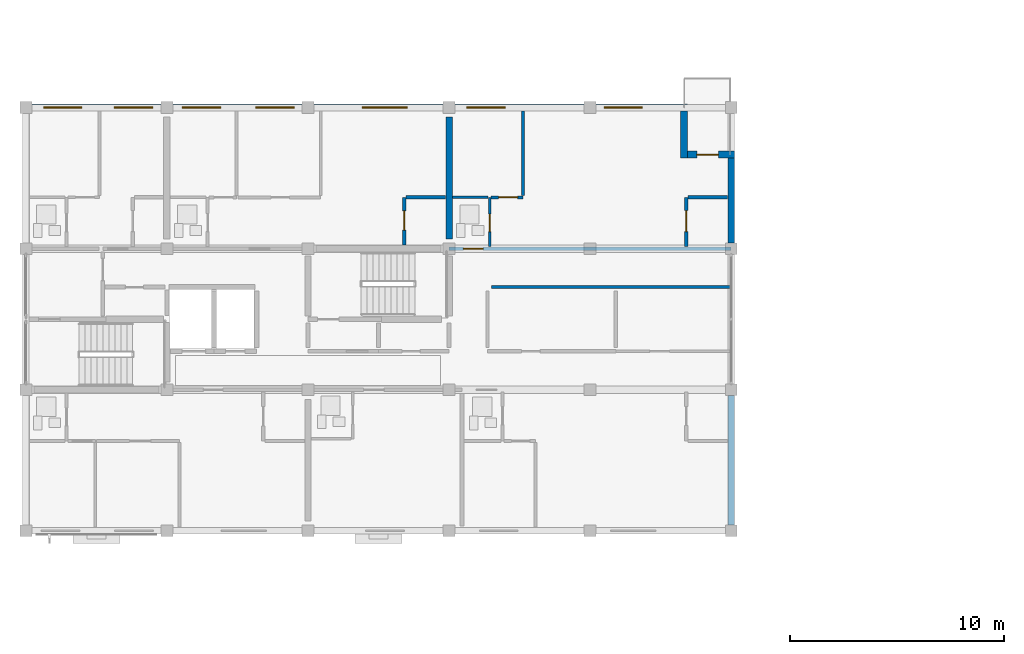
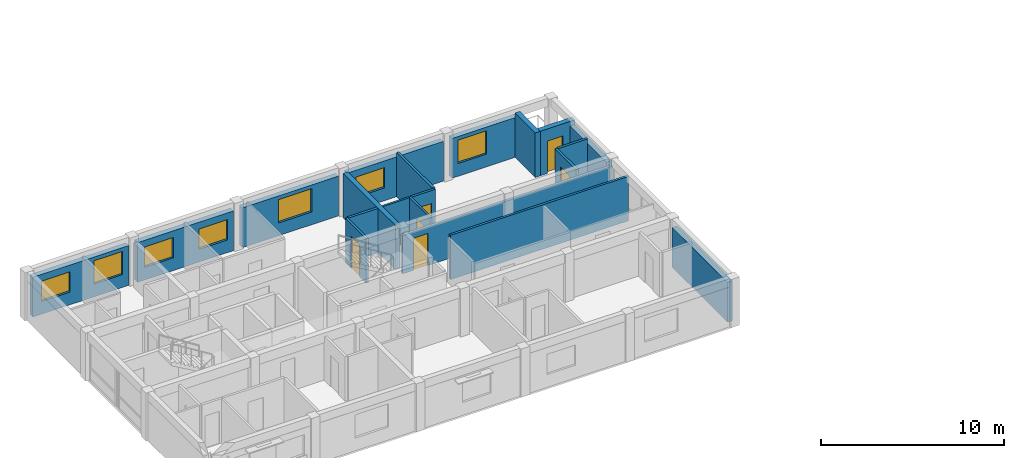
# One storey, part 36 of 53: 20 walls, 7 windows, 6 doors, 13 openings.
"""IFC4 building model written with IfcOpenShell, lengths in metres."""

from ifc_helpers import new_model, si_unit, direction, frame, frame_2d, origin, place, context, subcontext, project, spatial, rectangle, extrude, material, layer, layer_set, type_object, element, fill, save


model = new_model("IFC4")

# Units and contexts
model_context = context("Model", 3, precision=1e-05, world=origin(), true_north=direction((0.0, 1.0)))
body_context = subcontext(model_context, "Body", "Model", "MODEL_VIEW")
ifc_project = project(units=[si_unit("LENGTHUNIT", "METRE"), si_unit("AREAUNIT", "SQUARE_METRE"), si_unit("VOLUMEUNIT", "CUBIC_METRE"), si_unit("PLANEANGLEUNIT", "RADIAN"), si_unit("MASSUNIT", "GRAM", prefix="KILO")], contexts=[model_context])

# Site, building, storey
site_placement = place(None, origin())
site = spatial("IfcSite", under=ifc_project, at=site_placement, CompositionType="ELEMENT")
building_placement = place(site_placement, origin())
building = spatial("IfcBuilding", under=site, at=building_placement, Name="Kernevlak Ridge Housing Community", CompositionType="ELEMENT")
storey_placement = place(building_placement, frame((0.0, 0.0, 18.0)))
storey = spatial("IfcBuildingStorey", under=building, at=storey_placement, Name="L05", CompositionType="ELEMENT", Elevation=18.0)

# Wall, openings, windows
ifc_material_1 = material(Name="Concrete block masonry M10", Category="masonry")
ifc_layer_1 = layer(ifc_material_1, 0.320068359375, Name="Concrete block masonry M10")
ifc_layer_set_1 = layer_set([ifc_layer_1], Name="Concrete block masonry M10")
wall_type_1 = type_object("IfcWallType", Name="EW-02", PredefinedType="STANDARD", material=ifc_layer_set_1)
wall_1_placement = place(storey_placement, frame((15.875, 95.800048828125, 0.0), z_axis=(0.0, 0.0, 1.0), x_axis=(1.0, 0.0, 0.0)))
wall_1 = element("IfcWall", 1, at=wall_1_placement, inside=storey, type_object=wall_type_1, Name="Exterior wall EW-02 L05 82", PredefinedType="STANDARD", context=body_context, shape_type="SweptSolid", body=[
    extrude(rectangle(XDim=6.050048828125, YDim=0.320068359375, at=frame_2d((3.02490234375, 0.0))), origin(), (0.0, 0.0, 1.0), 2.64990234375),
])
opening_1_placement = place(wall_1_placement, frame((0.550048828125, 0.0, 0.85009765625)))
opening_1 = element("IfcOpeningElement", 2, at=opening_1_placement, cuts=wall_1, Name="Opening WT-03", PredefinedType="OPENING", context=body_context, shape_type="SweptSolid", body=[
    extrude(rectangle(XDim=1.800048828125, YDim=1.35009765625, at=frame_2d((0.89990234375, 0.675048828125))), frame((0.0, 0.169921875, 0.0), z_axis=(0.0, -1.0, 0.0), x_axis=(1.0, 0.0, 0.0)), (0.0, 0.0, 1.0), 0.340087890625),
])
opening_2_placement = place(wall_1_placement, frame((3.85009765625, 0.0, 0.85009765625)))
opening_2 = element("IfcOpeningElement", 3, at=opening_2_placement, cuts=wall_1, Name="Opening WT-04", PredefinedType="OPENING", context=body_context, shape_type="SweptSolid", body=[
    extrude(rectangle(XDim=1.800048828125, YDim=1.550048828125, at=frame_2d((0.89990234375, 0.77490234375))), frame((0.0, 0.169921875, 0.0), z_axis=(0.0, -1.0, 0.0), x_axis=(1.0, 0.0, 0.0)), (0.0, 0.0, 1.0), 0.340087890625),
])
ifc_material_2 = material(Name="Aluminium EN AW-6060 anodised and laminated glass", Category="aluminium")
window_type_1 = type_object("IfcWindowType", Name="WT-03", PartitioningType="SINGLE_PANEL", PredefinedType="WINDOW", material=ifc_material_2)
window_1_placement = place(opening_1_placement, origin())
window_1 = element("IfcWindow", 4, at=window_1_placement, inside=storey, type_object=window_type_1, Name="Window WT-03 L05 63", OverallHeight=1.35009765625, OverallWidth=1.800048828125, PartitioningType="SINGLE_PANEL", PredefinedType="WINDOW", context=body_context, shape_type="SweptSolid", body=[
    extrude(rectangle(XDim=1.800048828125, YDim=1.35009765625, at=frame_2d((0.89990234375, 0.675048828125))), frame((0.0, 0.030029296875, 0.0), z_axis=(0.0, -1.0, 0.0), x_axis=(1.0, 0.0, 0.0)), (0.0, 0.0, 1.0), 0.06005859375),
])
fill(opening_1, window_1)
window_type_2 = type_object("IfcWindowType", Name="WT-04", PartitioningType="SINGLE_PANEL", PredefinedType="WINDOW", material=ifc_material_2)
window_2_placement = place(opening_2_placement, origin())
window_2 = element("IfcWindow", 5, at=window_2_placement, inside=storey, type_object=window_type_2, Name="Window WT-04 L05 64", OverallHeight=1.550048828125, OverallWidth=1.800048828125, PartitioningType="SINGLE_PANEL", PredefinedType="WINDOW", context=body_context, shape_type="SweptSolid", body=[
    extrude(rectangle(XDim=1.800048828125, YDim=1.550048828125, at=frame_2d((0.89990234375, 0.77490234375))), frame((0.0, 0.030029296875, 0.0), z_axis=(0.0, -1.0, 0.0), x_axis=(1.0, 0.0, 0.0)), (0.0, 0.0, 1.0), 0.06005859375),
])
fill(opening_2, window_2)

wall_2_placement = place(storey_placement, frame((22.47509765625, 95.800048828125, 0.0), z_axis=(0.0, 0.0, 1.0), x_axis=(1.0, 0.0, 0.0)))
wall_2 = element("IfcWall", 6, at=wall_2_placement, inside=storey, type_object=wall_type_1, Name="Exterior wall EW-02 L05 83", PredefinedType="STANDARD", context=body_context, shape_type="SweptSolid", body=[
    extrude(rectangle(XDim=6.0498046875, YDim=0.320068359375, at=frame_2d((3.02490234375, 0.0))), origin(), (0.0, 0.0, 1.0), 2.64990234375),
])
opening_3_placement = place(wall_2_placement, frame((0.449951171875, 0.0, 0.85009765625)))
opening_3 = element("IfcOpeningElement", 7, at=opening_3_placement, cuts=wall_2, Name="Opening WT-03", PredefinedType="OPENING", context=body_context, shape_type="SweptSolid", body=[
    extrude(rectangle(XDim=1.800048828125, YDim=1.35009765625, at=frame_2d((0.89990234375, 0.675048828125))), frame((0.0, 0.169921875, 0.0), z_axis=(0.0, -1.0, 0.0), x_axis=(1.0, 0.0, 0.0)), (0.0, 0.0, 1.0), 0.340087890625),
])
opening_4_placement = place(wall_2_placement, frame((3.875, 0.0, 0.85009765625)))
opening_4 = element("IfcOpeningElement", 8, at=opening_4_placement, cuts=wall_2, Name="Opening WT-03", PredefinedType="OPENING", context=body_context, shape_type="SweptSolid", body=[
    extrude(rectangle(XDim=1.800048828125, YDim=1.35009765625, at=frame_2d((0.89990234375, 0.675048828125))), frame((0.0, 0.169921875, 0.0), z_axis=(0.0, -1.0, 0.0), x_axis=(1.0, 0.0, 0.0)), (0.0, 0.0, 1.0), 0.340087890625),
])
window_3_placement = place(opening_3_placement, origin())
window_3 = element("IfcWindow", 9, at=window_3_placement, inside=storey, type_object=window_type_1, Name="Window WT-03 L05 65", OverallHeight=1.35009765625, OverallWidth=1.800048828125, PartitioningType="SINGLE_PANEL", PredefinedType="WINDOW", context=body_context, shape_type="SweptSolid", body=[
    extrude(rectangle(XDim=1.800048828125, YDim=1.35009765625, at=frame_2d((0.89990234375, 0.675048828125))), frame((0.0, 0.030029296875, 0.0), z_axis=(0.0, -1.0, 0.0), x_axis=(1.0, 0.0, 0.0)), (0.0, 0.0, 1.0), 0.06005859375),
])
fill(opening_3, window_3)
window_4_placement = place(opening_4_placement, origin())
window_4 = element("IfcWindow", 10, at=window_4_placement, inside=storey, type_object=window_type_1, Name="Window WT-03 L05 66", OverallHeight=1.35009765625, OverallWidth=1.800048828125, PartitioningType="SINGLE_PANEL", PredefinedType="WINDOW", context=body_context, shape_type="SweptSolid", body=[
    extrude(rectangle(XDim=1.800048828125, YDim=1.35009765625, at=frame_2d((0.89990234375, 0.675048828125))), frame((0.0, 0.030029296875, 0.0), z_axis=(0.0, -1.0, 0.0), x_axis=(1.0, 0.0, 0.0)), (0.0, 0.0, 1.0), 0.06005859375),
])
fill(opening_4, window_4)

# Wall, opening, window
wall_3_placement = place(storey_placement, frame((29.074951171875, 95.800048828125, 0.0), z_axis=(0.0, 0.0, 1.0), x_axis=(1.0, 0.0, 0.0)))
wall_3 = element("IfcWall", 11, at=wall_3_placement, inside=storey, type_object=wall_type_1, Name="Exterior wall EW-02 L05 84", PredefinedType="STANDARD", context=body_context, shape_type="SweptSolid", body=[
    extrude(rectangle(XDim=6.050048828125, YDim=0.320068359375, at=frame_2d((3.02490234375, 0.0))), origin(), (0.0, 0.0, 1.0), 2.64990234375),
])
opening_5_placement = place(wall_3_placement, frame((2.27099609375, 0.0, 0.85009765625)))
opening_5 = element("IfcOpeningElement", 12, at=opening_5_placement, cuts=wall_3, Name="Opening WT-05", PredefinedType="OPENING", context=body_context, shape_type="SweptSolid", body=[
    extrude(rectangle(XDim=2.10009765625, YDim=1.550048828125, at=frame_2d((1.050048828125, 0.77490234375))), frame((0.0, 0.169921875, 0.0), z_axis=(0.0, -1.0, 0.0), x_axis=(1.0, 0.0, 0.0)), (0.0, 0.0, 1.0), 0.340087890625),
])
window_type_3 = type_object("IfcWindowType", Name="WT-05", PartitioningType="SINGLE_PANEL", PredefinedType="WINDOW", material=ifc_material_2)
window_5_placement = place(opening_5_placement, origin())
window_5 = element("IfcWindow", 13, at=window_5_placement, inside=storey, type_object=window_type_3, Name="Window WT-05 L05 67", OverallHeight=1.550048828125, OverallWidth=2.10009765625, PartitioningType="SINGLE_PANEL", PredefinedType="WINDOW", context=body_context, shape_type="SweptSolid", body=[
    extrude(rectangle(XDim=2.10009765625, YDim=1.550048828125, at=frame_2d((1.050048828125, 0.77490234375))), frame((0.0, 0.030029296875, 0.0), z_axis=(0.0, -1.0, 0.0), x_axis=(1.0, 0.0, 0.0)), (0.0, 0.0, 1.0), 0.06005859375),
])
fill(opening_5, window_5)

wall_4_placement = place(storey_placement, frame((35.675048828125, 95.800048828125, 0.0), z_axis=(0.0, 0.0, 1.0), x_axis=(1.0, 0.0, 0.0)))
wall_4 = element("IfcWall", 14, at=wall_4_placement, inside=storey, type_object=wall_type_1, Name="Exterior wall EW-02 L05 85", PredefinedType="STANDARD", context=body_context, shape_type="SweptSolid", body=[
    extrude(rectangle(XDim=6.050048828125, YDim=0.320068359375, at=frame_2d((3.02490234375, 0.0))), origin(), (0.0, 0.0, 1.0), 2.64990234375),
])
opening_6_placement = place(wall_4_placement, frame((0.550048828125, 0.0, 0.85009765625)))
opening_6 = element("IfcOpeningElement", 15, at=opening_6_placement, cuts=wall_4, Name="Opening WT-03", PredefinedType="OPENING", context=body_context, shape_type="SweptSolid", body=[
    extrude(rectangle(XDim=1.800048828125, YDim=1.35009765625, at=frame_2d((0.89990234375, 0.675048828125))), frame((0.0, 0.169921875, 0.0), z_axis=(0.0, -1.0, 0.0), x_axis=(1.0, 0.0, 0.0)), (0.0, 0.0, 1.0), 0.340087890625),
])
window_6_placement = place(opening_6_placement, origin())
window_6 = element("IfcWindow", 16, at=window_6_placement, inside=storey, type_object=window_type_1, Name="Window WT-03 L05 68", OverallHeight=1.35009765625, OverallWidth=1.800048828125, PartitioningType="SINGLE_PANEL", PredefinedType="WINDOW", context=body_context, shape_type="SweptSolid", body=[
    extrude(rectangle(XDim=1.800048828125, YDim=1.35009765625, at=frame_2d((0.89990234375, 0.675048828125))), frame((0.0, 0.030029296875, 0.0), z_axis=(0.0, -1.0, 0.0), x_axis=(1.0, 0.0, 0.0)), (0.0, 0.0, 1.0), 0.06005859375),
])
fill(opening_6, window_6)

wall_5_placement = place(storey_placement, frame((42.27490234375, 95.800048828125, 0.0), z_axis=(0.0, 0.0, 1.0), x_axis=(1.0, 0.0, 0.0)))
wall_5 = element("IfcWall", 17, at=wall_5_placement, inside=storey, type_object=wall_type_1, Name="Exterior wall EW-02 L05 86", PredefinedType="STANDARD", context=body_context, shape_type="SweptSolid", body=[
    extrude(rectangle(XDim=4.28515625, YDim=0.320068359375, at=frame_2d((2.142578125, 0.0))), origin(), (0.0, 0.0, 1.0), 2.64990234375),
])
opening_7_placement = place(wall_5_placement, frame((0.375, 0.0, 0.85009765625)))
opening_7 = element("IfcOpeningElement", 18, at=opening_7_placement, cuts=wall_5, Name="Opening WT-04", PredefinedType="OPENING", context=body_context, shape_type="SweptSolid", body=[
    extrude(rectangle(XDim=1.800048828125, YDim=1.550048828125, at=frame_2d((0.89990234375, 0.77490234375))), frame((0.0, 0.169921875, 0.0), z_axis=(0.0, -1.0, 0.0), x_axis=(1.0, 0.0, 0.0)), (0.0, 0.0, 1.0), 0.340087890625),
])
window_7_placement = place(opening_7_placement, origin())
window_7 = element("IfcWindow", 19, at=window_7_placement, inside=storey, type_object=window_type_2, Name="Window WT-04 L05 69", OverallHeight=1.550048828125, OverallWidth=1.800048828125, PartitioningType="SINGLE_PANEL", PredefinedType="WINDOW", context=body_context, shape_type="SweptSolid", body=[
    extrude(rectangle(XDim=1.800048828125, YDim=1.550048828125, at=frame_2d((0.89990234375, 0.77490234375))), frame((0.0, 0.030029296875, 0.0), z_axis=(0.0, -1.0, 0.0), x_axis=(1.0, 0.0, 0.0)), (0.0, 0.0, 1.0), 0.06005859375),
])
fill(opening_7, window_7)

# Wall
wall_6_placement = place(storey_placement, frame((46.39990234375, 95.639892578125, 0.0), z_axis=(0.0, 0.0, 1.0), x_axis=(0.0, -1.0, 0.0)))
element("IfcWall", 20, at=wall_6_placement, inside=storey, type_object=wall_type_1, Name="Exterior wall EW-02 L05 87", PredefinedType="STANDARD", context=body_context, shape_type="SweptSolid", body=[
    extrude(rectangle(XDim=2.199951171875, YDim=0.320068359375, at=frame_2d((1.10009765625, 0.0))), origin(), (0.0, 0.0, 1.0), 2.9599609375),
])

# Wall, opening, door
wall_7_placement = place(storey_placement, frame((46.56005859375, 93.60009765625, 0.0), z_axis=(0.0, 0.0, 1.0), x_axis=(1.0, 0.0, 0.0)))
wall_7 = element("IfcWall", 21, at=wall_7_placement, inside=storey, type_object=wall_type_1, Name="Exterior wall EW-02 L05 88", PredefinedType="STANDARD", context=body_context, shape_type="SweptSolid", body=[
    extrude(rectangle(XDim=2.199951171875, YDim=0.320068359375, at=frame_2d((1.10009765625, 0.0))), origin(), (0.0, 0.0, 1.0), 2.9599609375),
])
opening_8_placement = place(wall_7_placement, frame((0.43994140625, 0.0, 0.0)))
opening_8 = element("IfcOpeningElement", 22, at=opening_8_placement, cuts=wall_7, Name="Opening D188", PredefinedType="OPENING", context=body_context, shape_type="SweptSolid", body=[
    extrude(rectangle(XDim=1.0, YDim=2.14990234375, at=frame_2d((0.5, 1.074951171875))), frame((0.0, 0.169921875, 0.0), z_axis=(0.0, -1.0, 0.0), x_axis=(1.0, 0.0, 0.0)), (0.0, 0.0, 1.0), 0.340087890625),
])
ifc_material_3 = material(Name="Aluminium EN AW-6060 and laminated safety glass", Category="aluminium")
door_type_1 = type_object("IfcDoorType", Name="DT-08", OperationType="NOTDEFINED", PredefinedType="DOOR", material=ifc_material_3)
door_1_placement = place(opening_8_placement, origin())
door_1 = element("IfcDoor", 23, at=door_1_placement, inside=storey, type_object=door_type_1, Name="Flat A0523 corner balcony glazed door D188", OperationType="SINGLE_SWING_RIGHT", OverallHeight=2.14990234375, OverallWidth=1.0, PredefinedType="DOOR", context=body_context, shape_type="SweptSolid", body=[
    extrude(rectangle(XDim=1.0, YDim=2.14990234375, at=frame_2d((0.5, 1.074951171875))), frame((0.0, 0.02490234375, 0.0), z_axis=(0.0, -1.0, 0.0), x_axis=(1.0, 0.0, 0.0)), (0.0, 0.0, 1.0), 0.050048828125),
])
fill(opening_8, door_1)

# Walls
wall_8_placement = place(storey_placement, frame((48.60009765625, 76.27490234375, 0.0), z_axis=(0.0, 0.0, 1.0), x_axis=(0.0, 1.0, 0.0)))
element("IfcWall", 24, at=wall_8_placement, inside=storey, type_object=wall_type_1, Name="Exterior wall EW-02 L05 91", PredefinedType="STANDARD", context=body_context, shape_type="SweptSolid", body=[
    extrude(rectangle(XDim=6.050048828125, YDim=0.320068359375, at=frame_2d((3.02490234375, 0.0))), origin(), (0.0, 0.0, 1.0), 2.64990234375),
])
wall_9_placement = place(storey_placement, frame((48.60009765625, 89.47509765625, 0.0), z_axis=(0.0, 0.0, 1.0), x_axis=(0.0, 1.0, 0.0)))
element("IfcWall", 25, at=wall_9_placement, inside=storey, type_object=wall_type_1, Name="Exterior wall EW-02 L05 92", PredefinedType="STANDARD", context=body_context, shape_type="SweptSolid", body=[
    extrude(rectangle(XDim=3.96484375, YDim=0.320068359375, at=frame_2d((1.982421875, 0.0))), origin(), (0.0, 0.0, 1.0), 2.64990234375),
])

# Wall, opening, door
ifc_layer_2 = layer(ifc_material_1, 0.175048828125, Name="Concrete block masonry M10")
ifc_layer_set_2 = layer_set([ifc_layer_2], Name="Concrete block masonry M10")
wall_type_2 = type_object("IfcWallType", Name="PW-02", PredefinedType="PARTITIONING", material=ifc_layer_set_2)
wall_10_placement = place(storey_placement, frame((35.39990234375, 89.199951171875, 0.0), z_axis=(0.0, 0.0, 1.0), x_axis=(1.0, 0.0, 0.0)))
wall_10 = element("IfcWall", 26, at=wall_10_placement, inside=storey, type_object=wall_type_2, Name="Interior wall PW-02 WAL-INT-L05-0367", PredefinedType="PARTITIONING", context=body_context, shape_type="SweptSolid", body=[
    extrude(rectangle(XDim=13.2001953125, YDim=0.175048828125, at=frame_2d((6.60009765625, 0.0))), origin(), (0.0, 0.0, 1.0), 2.550048828125),
])
opening_9_placement = place(wall_10_placement, frame((0.669921875, 0.0, 0.0)))
opening_9 = element("IfcOpeningElement", 27, at=opening_9_placement, cuts=wall_10, Name="Opening D184", PredefinedType="OPENING", context=body_context, shape_type="SweptSolid", body=[
    extrude(rectangle(XDim=0.919921875, YDim=2.139892578125, at=frame_2d((0.4599609375, 1.06982421875))), frame((0.0, 0.097412109375, 0.0), z_axis=(0.0, -1.0, 0.0), x_axis=(1.0, 0.0, 0.0)), (0.0, 0.0, 1.0), 0.195068359375),
])
ifc_material_4 = material(Name="Hardwood timber solid-core fire leaf", Category="wood")
door_type_2 = type_object("IfcDoorType", Name="DT-20", OperationType="NOTDEFINED", PredefinedType="DOOR", material=ifc_material_4)
door_2_placement = place(opening_9_placement, origin())
door_2 = element("IfcDoor", 28, at=door_2_placement, inside=storey, type_object=door_type_2, Name="Flat A0523 entrance fire door D184", OperationType="SINGLE_SWING_RIGHT", OverallHeight=2.139892578125, OverallWidth=0.919921875, PredefinedType="DOOR", context=body_context, shape_type="SweptSolid", body=[
    extrude(rectangle(XDim=0.919921875, YDim=2.139892578125, at=frame_2d((0.4599609375, 1.06982421875))), frame((0.0, 0.02490234375, 0.0), z_axis=(0.0, -1.0, 0.0), x_axis=(1.0, 0.0, 0.0)), (0.0, 0.0, 1.0), 0.050048828125),
])
fill(opening_9, door_2)

# Wall
ifc_layer_3 = layer(ifc_material_1, 0.14501953125, Name="Concrete block masonry M10")
ifc_layer_set_3 = layer_set([ifc_layer_3], Name="Concrete block masonry M10")
wall_type_3 = type_object("IfcWallType", Name="PW-03", PredefinedType="PARTITIONING", material=ifc_layer_set_3)
wall_11_placement = place(storey_placement, frame((37.3798828125, 87.39990234375, 0.0), z_axis=(0.0, 0.0, 1.0), x_axis=(1.0, 0.0, 0.0)))
element("IfcWall", 29, at=wall_11_placement, inside=storey, type_object=wall_type_3, Name="Interior wall PW-03 WAL-INT-L05-0328", PredefinedType="PARTITIONING", context=body_context, shape_type="SweptSolid", body=[
    extrude(rectangle(XDim=11.2001953125, YDim=0.14501953125, at=frame_2d((5.60009765625, 0.0))), origin(), (0.0, 0.0, 1.0), 2.9599609375),
])

# Wall, opening, door
wall_12_placement = place(storey_placement, frame((37.37255859375, 91.60009765625, 0.0), z_axis=(0.0, 0.0, 1.0), x_axis=(1.0, 0.0, 0.0)))
wall_12 = element("IfcWall", 30, at=wall_12_placement, inside=storey, type_object=wall_type_3, Name="Interior wall PW-03 WAL-INT-L05-0372", PredefinedType="PARTITIONING", context=body_context, shape_type="SweptSolid", body=[
    extrude(rectangle(XDim=1.4775390625, YDim=0.14501953125, at=frame_2d((0.73876953125, 0.0))), origin(), (0.0, 0.0, 1.0), 2.9599609375),
])
opening_10_placement = place(wall_12_placement, frame((0.35009765625, 0.0, 0.0)))
opening_10 = element("IfcOpeningElement", 31, at=opening_10_placement, cuts=wall_12, Name="Opening D187", PredefinedType="OPENING", context=body_context, shape_type="SweptSolid", body=[
    extrude(rectangle(XDim=0.8798828125, YDim=2.10009765625, at=frame_2d((0.43994140625, 1.050048828125))), frame((0.0, 0.08251953125, 0.0), z_axis=(0.0, -1.0, 0.0), x_axis=(1.0, 0.0, 0.0)), (0.0, 0.0, 1.0), 0.1650390625),
])
ifc_material_5 = material(Name="Hardwood timber leaf", Category="wood")
door_type_3 = type_object("IfcDoorType", Name="DT-25", OperationType="NOTDEFINED", PredefinedType="DOOR", material=ifc_material_5)
door_3_placement = place(opening_10_placement, origin())
door_3 = element("IfcDoor", 32, at=door_3_placement, inside=storey, type_object=door_type_3, Name="Flat A0523 bedroom door D187", OperationType="SINGLE_SWING_LEFT", OverallHeight=2.10009765625, OverallWidth=0.8798828125, PredefinedType="DOOR", context=body_context, shape_type="SweptSolid", body=[
    extrude(rectangle(XDim=0.8798828125, YDim=2.10009765625, at=frame_2d((0.43994140625, 1.050048828125))), frame((0.0, 0.02490234375, 0.0), z_axis=(0.0, -1.0, 0.0), x_axis=(1.0, 0.0, 0.0)), (0.0, 0.0, 1.0), 0.050048828125),
])
fill(opening_10, door_3)

# Wall
wall_13_placement = place(storey_placement, frame((38.85009765625, 91.6826171875, 0.0), z_axis=(0.0, 0.0, 1.0), x_axis=(0.0, 1.0, 0.0)))
element("IfcWall", 33, at=wall_13_placement, inside=storey, type_object=wall_type_3, Name="Interior wall PW-03 WAL-INT-L05-0373", PredefinedType="PARTITIONING", context=body_context, shape_type="SweptSolid", body=[
    extrude(rectangle(XDim=3.947265625, YDim=0.14501953125, at=frame_2d((1.9736328125, 0.0))), origin(), (0.0, 0.0, 1.0), 2.9599609375),
])

# Wall, opening, door
ifc_material_6 = material(Name="Gypsum plasterboard EN 520", Category="gypsum")
ifc_layer_4 = layer(ifc_material_6, 0.125, Name="Gypsum plasterboard EN 520")
ifc_layer_set_4 = layer_set([ifc_layer_4], Name="Gypsum plasterboard EN 520")
wall_type_4 = type_object("IfcWallType", Name="PW-04", PredefinedType="PARTITIONING", material=ifc_layer_set_4)
wall_14_placement = place(storey_placement, frame((37.300048828125, 89.297607421875, 0.0), z_axis=(0.0, 0.0, 1.0), x_axis=(0.0, 1.0, 0.0)))
wall_14 = element("IfcWall", 34, at=wall_14_placement, inside=storey, type_object=wall_type_4, Name="Interior wall PW-04 WAL-INT-L05-0368", PredefinedType="PARTITIONING", context=body_context, shape_type="SweptSolid", body=[
    extrude(rectangle(XDim=2.302490234375, YDim=0.125, at=frame_2d((1.1513671875, 0.0))), origin(), (0.0, 0.0, 1.0), 2.9599609375),
])
opening_11_placement = place(wall_14_placement, frame((0.699951171875, 0.0, 0.0)))
opening_11 = element("IfcOpeningElement", 35, at=opening_11_placement, cuts=wall_14, Name="Opening D185", PredefinedType="OPENING", context=body_context, shape_type="SweptSolid", body=[
    extrude(rectangle(XDim=0.820068359375, YDim=2.050048828125, at=frame_2d((0.41015625, 1.02490234375))), frame((0.0, 0.072509765625, 0.0), z_axis=(0.0, -1.0, 0.0), x_axis=(1.0, 0.0, 0.0)), (0.0, 0.0, 1.0), 0.14501953125),
])
ifc_material_7 = material(Name="Hardwood timber moisture-resistant leaf", Category="wood")
door_type_4 = type_object("IfcDoorType", Name="DT-30", OperationType="NOTDEFINED", PredefinedType="DOOR", material=ifc_material_7)
door_4_placement = place(opening_11_placement, origin())
door_4 = element("IfcDoor", 36, at=door_4_placement, inside=storey, type_object=door_type_4, Name="Flat A0523 bathroom door D185", OperationType="SINGLE_SWING_LEFT", OverallHeight=2.050048828125, OverallWidth=0.820068359375, PredefinedType="DOOR", context=body_context, shape_type="SweptSolid", body=[
    extrude(rectangle(XDim=0.820068359375, YDim=2.050048828125, at=frame_2d((0.41015625, 1.02490234375))), frame((0.0, 0.02490234375, 0.0), z_axis=(0.0, -1.0, 0.0), x_axis=(1.0, 0.0, 0.0)), (0.0, 0.0, 1.0), 0.050048828125),
])
fill(opening_11, door_4)

# Wall
wall_15_placement = place(storey_placement, frame((35.56005859375, 91.60009765625, 0.0), z_axis=(0.0, 0.0, 1.0), x_axis=(1.0, 0.0, 0.0)))
element("IfcWall", 37, at=wall_15_placement, inside=storey, type_object=wall_type_4, Name="Interior wall PW-04 WAL-INT-L05-0369", PredefinedType="PARTITIONING", context=body_context, shape_type="SweptSolid", body=[
    extrude(rectangle(XDim=1.659912109375, YDim=0.125, at=frame_2d((0.830078125, 0.0))), origin(), (0.0, 0.0, 1.0), 2.9599609375),
])

# Wall, opening, door
ifc_layer_5 = layer(ifc_material_6, 0.155029296875, Name="Gypsum plasterboard EN 520")
ifc_layer_set_5 = layer_set([ifc_layer_5], Name="Gypsum plasterboard EN 520")
wall_type_5 = type_object("IfcWallType", Name="PW-05", PredefinedType="PARTITIONING", material=ifc_layer_set_5)
wall_16_placement = place(storey_placement, frame((33.300048828125, 89.360107421875, 0.0), z_axis=(0.0, 0.0, 1.0), x_axis=(0.0, 1.0, 0.0)))
wall_16 = element("IfcWall", 38, at=wall_16_placement, inside=storey, type_object=wall_type_5, Name="Interior wall PW-05 WAL-INT-L05-0361", PredefinedType="PARTITIONING", context=body_context, shape_type="SweptSolid", body=[
    extrude(rectangle(XDim=2.239990234375, YDim=0.155029296875, at=frame_2d((1.1201171875, 0.0))), origin(), (0.0, 0.0, 1.0), 2.9599609375),
])
opening_12_placement = place(wall_16_placement, frame((0.699951171875, 0.0, 0.0)))
opening_12 = element("IfcOpeningElement", 39, at=opening_12_placement, cuts=wall_16, Name="Opening D181", PredefinedType="OPENING", context=body_context, shape_type="SweptSolid", body=[
    extrude(rectangle(XDim=0.909912109375, YDim=2.139892578125, at=frame_2d((0.455078125, 1.06982421875))), frame((0.0, 0.08740234375, 0.0), z_axis=(0.0, -1.0, 0.0), x_axis=(1.0, 0.0, 0.0)), (0.0, 0.0, 1.0), 0.175048828125),
])
door_type_5 = type_object("IfcDoorType", Name="DT-31", OperationType="NOTDEFINED", PredefinedType="DOOR", material=ifc_material_5)
door_5_placement = place(opening_12_placement, origin())
door_5 = element("IfcDoor", 40, at=door_5_placement, inside=storey, type_object=door_type_5, Name="Flat A0522 kitchen door D181", OperationType="SINGLE_SWING_LEFT", OverallHeight=2.139892578125, OverallWidth=0.909912109375, PredefinedType="DOOR", context=body_context, shape_type="SweptSolid", body=[
    extrude(rectangle(XDim=0.909912109375, YDim=2.139892578125, at=frame_2d((0.455078125, 1.06982421875))), frame((0.0, 0.02490234375, 0.0), z_axis=(0.0, -1.0, 0.0), x_axis=(1.0, 0.0, 0.0)), (0.0, 0.0, 1.0), 0.050048828125),
])
fill(opening_12, door_5)

# Wall
wall_17_placement = place(storey_placement, frame((33.387451171875, 91.60009765625, 0.0), z_axis=(0.0, 0.0, 1.0), x_axis=(1.0, 0.0, 0.0)))
element("IfcWall", 41, at=wall_17_placement, inside=storey, type_object=wall_type_5, Name="Interior wall PW-05 WAL-INT-L05-0362", PredefinedType="PARTITIONING", context=body_context, shape_type="SweptSolid", body=[
    extrude(rectangle(XDim=1.8525390625, YDim=0.155029296875, at=frame_2d((0.92626953125, 0.0))), origin(), (0.0, 0.0, 1.0), 2.9599609375),
])

# Wall, opening, door
wall_18_placement = place(storey_placement, frame((46.5, 89.297607421875, 0.0), z_axis=(0.0, 0.0, 1.0), x_axis=(0.0, 1.0, 0.0)))
wall_18 = element("IfcWall", 42, at=wall_18_placement, inside=storey, type_object=wall_type_5, Name="Interior wall PW-05 WAL-INT-L05-0370", PredefinedType="PARTITIONING", context=body_context, shape_type="SweptSolid", body=[
    extrude(rectangle(XDim=2.302490234375, YDim=0.155029296875, at=frame_2d((1.1513671875, 0.0))), origin(), (0.0, 0.0, 1.0), 2.9599609375),
])
opening_13_placement = place(wall_18_placement, frame((0.699951171875, 0.0, 0.0)))
opening_13 = element("IfcOpeningElement", 43, at=opening_13_placement, cuts=wall_18, Name="Opening D186", PredefinedType="OPENING", context=body_context, shape_type="SweptSolid", body=[
    extrude(rectangle(XDim=0.97998046875, YDim=2.1201171875, at=frame_2d((0.489990234375, 1.06005859375))), frame((0.0, 0.08740234375, 0.0), z_axis=(0.0, -1.0, 0.0), x_axis=(1.0, 0.0, 0.0)), (0.0, 0.0, 1.0), 0.175048828125),
])
door_type_6 = type_object("IfcDoorType", Name="DT-24", OperationType="NOTDEFINED", PredefinedType="DOOR", material=ifc_material_5)
door_6_placement = place(opening_13_placement, origin())
door_6 = element("IfcDoor", 44, at=door_6_placement, inside=storey, type_object=door_type_6, Name="Flat A0523 kitchen door D186", OperationType="SINGLE_SWING_RIGHT", OverallHeight=2.1201171875, OverallWidth=0.97998046875, PredefinedType="DOOR", context=body_context, shape_type="SweptSolid", body=[
    extrude(rectangle(XDim=0.97998046875, YDim=2.1201171875, at=frame_2d((0.489990234375, 1.06005859375))), frame((0.0, 0.02490234375, 0.0), z_axis=(0.0, -1.0, 0.0), x_axis=(1.0, 0.0, 0.0)), (0.0, 0.0, 1.0), 0.050048828125),
])
fill(opening_13, door_6)

# Walls
wall_19_placement = place(storey_placement, frame((46.58740234375, 91.60009765625, 0.0), z_axis=(0.0, 0.0, 1.0), x_axis=(1.0, 0.0, 0.0)))
element("IfcWall", 45, at=wall_19_placement, inside=storey, type_object=wall_type_5, Name="Interior wall PW-05 WAL-INT-L05-0371", PredefinedType="PARTITIONING", context=body_context, shape_type="SweptSolid", body=[
    extrude(rectangle(XDim=1.842529296875, YDim=0.155029296875, at=frame_2d((0.92138671875, 0.0))), origin(), (0.0, 0.0, 1.0), 2.9599609375),
])
ifc_material_8 = material(Name="Concrete C40/50", Category="concrete")
ifc_layer_6 = layer(ifc_material_8, 0.300048828125, Name="Concrete C40/50")
ifc_layer_set_6 = layer_set([ifc_layer_6], Name="Concrete C40/50")
wall_type_6 = type_object("IfcWallType", Name="SW-02", PredefinedType="SHEAR", material=ifc_layer_set_6)
wall_20_placement = place(storey_placement, frame((35.39990234375, 89.64990234375, 0.0), z_axis=(0.0, 0.0, 1.0), x_axis=(0.0, 1.0, 0.0)))
element("IfcWall", 46, at=wall_20_placement, inside=storey, type_object=wall_type_6, Name="Shear wall SW-02 Block A L05 70", PredefinedType="SHEAR", context=body_context, shape_type="SweptSolid", body=[
    extrude(rectangle(XDim=5.7001953125, YDim=0.300048828125, at=frame_2d((2.85009765625, 0.0))), origin(), (0.0, 0.0, 1.0), 2.9599609375),
])

save(model, "model.ifc")
